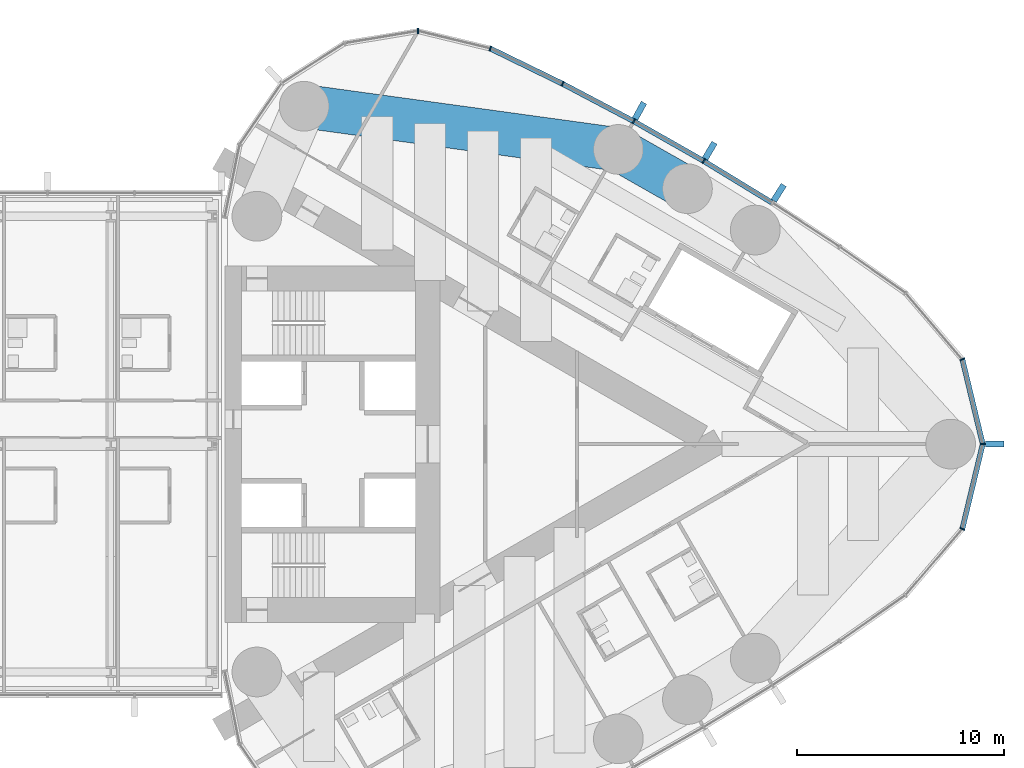
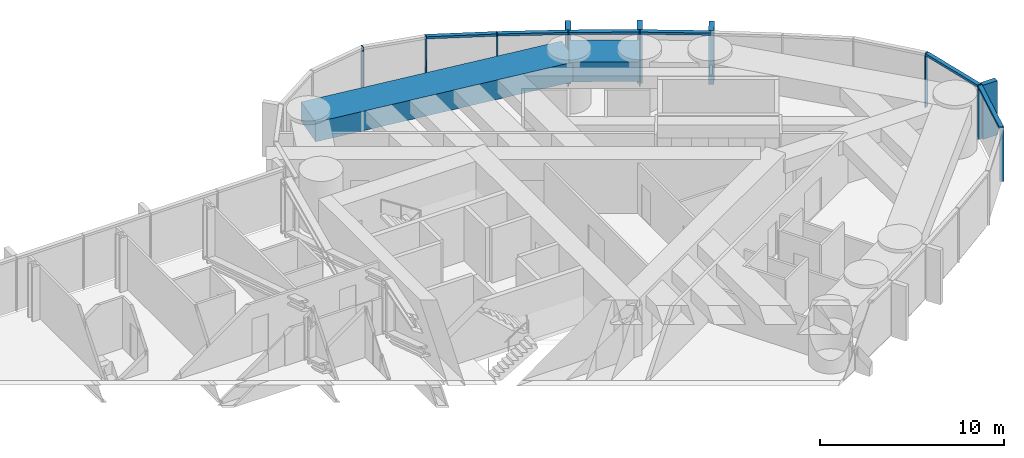
# One storey, part 12 of 24: 18 members, 2 beams, 1 element without a shape of its own.
"""IFC4 building model written with IfcOpenShell, lengths in metres."""

from ifc_helpers import new_model, si_unit, direction, frame, origin, origin_2d, place, context, subcontext, project, spatial, rectangle, extrude, material, material_profile, profile_set, type_object, element, aggregate, save


model = new_model("IFC4")

# Units and contexts
model_context = context("Model", 3, precision=1e-05, world=origin(), true_north=direction((0.0, 1.0)))
body_context = subcontext(model_context, "Body", "Model", "MODEL_VIEW")
ifc_project = project(units=[si_unit("LENGTHUNIT", "METRE"), si_unit("AREAUNIT", "SQUARE_METRE"), si_unit("VOLUMEUNIT", "CUBIC_METRE"), si_unit("PLANEANGLEUNIT", "RADIAN"), si_unit("MASSUNIT", "GRAM", prefix="KILO")], contexts=[model_context])

# Site, building, storey
site_placement = place(None, origin())
site = spatial("IfcSite", under=ifc_project, at=site_placement, CompositionType="ELEMENT")
building_placement = place(site_placement, origin())
building = spatial("IfcBuilding", under=site, at=building_placement, Name="Lancet Gate Hotel", CompositionType="ELEMENT")
storey_placement = place(building_placement, frame((0.0, 0.0, 244.10009765625)))
storey = spatial("IfcBuildingStorey", under=building, at=storey_placement, Name="L65", CompositionType="ELEMENT", Elevation=244.10009765625)

# Curtain wall, members
ifc_material_1 = material(Name="Aluminium curtain wall", Category="aluminium")
curtain_wall_type = type_object("IfcCurtainWallType", Name="Tower unitised curtain wall", PredefinedType="USERDEFINED", material=ifc_material_1)
curtain_wall_placement = place(storey_placement, origin())
curtain_wall = element("IfcCurtainWall", 1, at=curtain_wall_placement, inside=storey, type_object=curtain_wall_type, Name="T2 L65 curtain wall 1", ObjectType="UNITISED CURTAIN WALL", PredefinedType="USERDEFINED")
ifc_material_2 = material(Name="Aluminium mullion", Category="aluminium")
ifc_material_profile_1 = material_profile(ifc_material_2, rectangle(XDim=0.06494140625, YDim=0.25, at=origin_2d()), Name="MULLION 65x250")
ifc_profile_set_1 = profile_set([ifc_material_profile_1], Name="Aluminium mullion")
member_type_1 = type_object("IfcMemberType", Name="Aluminium mullion 65x250", PredefinedType="MULLION", material=ifc_profile_set_1)
member_1_placement = place(storey_placement, frame((63.1064453125, -4.09375, 0.0), z_axis=(0.0, 0.0, 1.0), x_axis=(0.454852851296, 0.890566608215, 0.0)))
member_1 = element("IfcMember", 2, at=member_1_placement, type_object=member_type_1, Name="T2 L65 curtain wall 1 mullion 13", PredefinedType="MULLION", context=body_context, shape_type="SweptSolid", body=[
    extrude(rectangle(XDim=0.06494140625, YDim=0.25, at=origin_2d()), origin(), (0.0, 0.0, 1.0), 3.599853515625),
])
member_2_placement = place(storey_placement, frame((64.09130859375, 0.0, 0.0), z_axis=(0.0, 0.0, 1.0), x_axis=(0.0, 1.0, 0.0)))
member_2 = element("IfcMember", 3, at=member_2_placement, type_object=member_type_1, Name="T2 L65 curtain wall 1 mullion 14", PredefinedType="MULLION", context=body_context, shape_type="SweptSolid", body=[
    extrude(rectangle(XDim=0.06494140625, YDim=0.25, at=origin_2d()), origin(), (0.0, 0.0, 1.0), 3.599853515625),
])
member_3_placement = place(storey_placement, frame((63.1064453125, 4.09375, 0.0), z_axis=(0.0, 0.0, 1.0), x_axis=(-0.454852851296, 0.890566608215, 0.0)))
member_3 = element("IfcMember", 4, at=member_3_placement, type_object=member_type_1, Name="T2 L65 curtain wall 1 mullion 15", PredefinedType="MULLION", context=body_context, shape_type="SweptSolid", body=[
    extrude(rectangle(XDim=0.06494140625, YDim=0.25, at=origin_2d()), origin(), (0.0, 0.0, 1.0), 3.599853515625),
])
member_4_placement = place(storey_placement, frame((50.62060546875, 13.667236328125, 0.0), z_axis=(0.0, 0.0, 1.0), x_axis=(-0.861691755738, 0.507432082247, 0.0)))
member_4 = element("IfcMember", 5, at=member_4_placement, type_object=member_type_1, Name="T2 L65 curtain wall 1 mullion 19", PredefinedType="MULLION", context=body_context, shape_type="SweptSolid", body=[
    extrude(rectangle(XDim=0.06494140625, YDim=0.25, at=origin_2d()), origin(), (0.0, 0.0, 1.0), 3.599853515625),
])
member_5_placement = place(storey_placement, frame((47.24365234375, 15.585205078125, 0.0), z_axis=(0.0, 0.0, 1.0), x_axis=(-0.877194589488, 0.480135035352, 0.0)))
member_5 = element("IfcMember", 6, at=member_5_placement, type_object=member_type_1, Name="T2 L65 curtain wall 1 mullion 20", PredefinedType="MULLION", context=body_context, shape_type="SweptSolid", body=[
    extrude(rectangle(XDim=0.06494140625, YDim=0.25, at=origin_2d()), origin(), (0.0, 0.0, 1.0), 3.599853515625),
])
member_6_placement = place(storey_placement, frame((43.80810546875, 17.396240234375, 0.0), z_axis=(0.0, 0.0, 1.0), x_axis=(-0.891832977257, 0.452364831389, 0.0)))
member_6 = element("IfcMember", 7, at=member_6_placement, type_object=member_type_1, Name="T2 L65 curtain wall 1 mullion 21", PredefinedType="MULLION", context=body_context, shape_type="SweptSolid", body=[
    extrude(rectangle(XDim=0.06494140625, YDim=0.25, at=origin_2d()), origin(), (0.0, 0.0, 1.0), 3.599853515625),
])
member_7_placement = place(storey_placement, frame((40.3173828125, 19.098388671875, 0.0), z_axis=(0.0, 0.0, 1.0), x_axis=(-0.939483740419, 0.342593493061, 0.0)))
member_7 = element("IfcMember", 8, at=member_7_placement, type_object=member_type_1, Name="T2 L65 curtain wall 1 mullion 22", PredefinedType="MULLION", context=body_context, shape_type="SweptSolid", body=[
    extrude(rectangle(XDim=0.06494140625, YDim=0.25, at=origin_2d()), origin(), (0.0, 0.0, 1.0), 3.599853515625),
])
member_8_placement = place(storey_placement, frame((36.826171875, 19.942138671875, 0.0), z_axis=(0.0, 0.0, 1.0), x_axis=(-0.999342744911, 0.03625021647, 0.0)))
member_8 = element("IfcMember", 9, at=member_8_placement, type_object=member_type_1, Name="T2 L65 curtain wall 1 mullion 23", PredefinedType="MULLION", context=body_context, shape_type="SweptSolid", body=[
    extrude(rectangle(XDim=0.06494140625, YDim=0.25, at=origin_2d()), origin(), (0.0, 0.0, 1.0), 3.599853515625),
])
ifc_material_3 = material(Name="Aluminium transom", Category="aluminium")
ifc_material_profile_2 = material_profile(ifc_material_3, rectangle(XDim=0.25, YDim=0.14990234375, at=origin_2d()), Name="TRANSOM 250x150")
ifc_profile_set_2 = profile_set([ifc_material_profile_2], Name="Aluminium transom")
member_type_2 = type_object("IfcMemberType", Name="Aluminium transom 250x150", PredefinedType="USERDEFINED", material=ifc_profile_set_2)
member_9_placement = place(storey_placement, frame((63.114013671875, -4.06201171875, 3.52490234375), z_axis=(0.233920855872, 0.972255641891, 0.0), x_axis=(-0.972255641891, 0.233920855872, 0.0)))
member_9 = element("IfcMember", 10, at=member_9_placement, type_object=member_type_2, Name="T2 L65 curtain wall 1 transom 13", ObjectType="TRANSOM", PredefinedType="USERDEFINED", context=body_context, shape_type="SweptSolid", body=[
    extrude(rectangle(XDim=0.25, YDim=0.14990234375, at=origin_2d()), origin(), (0.0, 0.0, 1.0), 4.1455078125),
])
member_10_placement = place(storey_placement, frame((64.083740234375, 0.031494140625, 3.52490234375), z_axis=(-0.233920855872, 0.972255641891, 0.0), x_axis=(-0.972255641891, -0.233920855872, 0.0)))
member_10 = element("IfcMember", 11, at=member_10_placement, type_object=member_type_2, Name="T2 L65 curtain wall 1 transom 14", ObjectType="TRANSOM", PredefinedType="USERDEFINED", context=body_context, shape_type="SweptSolid", body=[
    extrude(rectangle(XDim=0.25, YDim=0.14990234375, at=origin_2d()), origin(), (0.0, 0.0, 1.0), 4.1455078125),
])
member_11_placement = place(storey_placement, frame((53.907958984375, 11.661376953125, 3.52490234375), z_axis=(-0.853638798527, 0.520865435261, 0.0), x_axis=(-0.520865435261, -0.853638798527, 0.0)))
member_11 = element("IfcMember", 12, at=member_11_placement, type_object=member_type_2, Name="T2 L65 curtain wall 1 transom 18", ObjectType="TRANSOM", PredefinedType="USERDEFINED", context=body_context, shape_type="SweptSolid", body=[
    extrude(rectangle(XDim=0.25, YDim=0.14990234375, at=origin_2d()), origin(), (0.0, 0.0, 1.0), 3.818603515625),
])
member_12_placement = place(storey_placement, frame((50.59228515625, 13.683349609375, 3.52490234375), z_axis=(-0.869562011924, 0.493823761496, 0.0), x_axis=(-0.493823761496, -0.869562011924, 0.0)))
member_12 = element("IfcMember", 13, at=member_12_placement, type_object=member_type_2, Name="T2 L65 curtain wall 1 transom 19", ObjectType="TRANSOM", PredefinedType="USERDEFINED", context=body_context, shape_type="SweptSolid", body=[
    extrude(rectangle(XDim=0.25, YDim=0.14990234375, at=origin_2d()), origin(), (0.0, 0.0, 1.0), 3.818603515625),
])
member_13_placement = place(storey_placement, frame((47.21484375, 15.600341796875, 3.52490234375), z_axis=(-0.884618491031, 0.466315478325, 0.0), x_axis=(-0.466315478325, -0.884618491031, 0.0)))
member_13 = element("IfcMember", 14, at=member_13_placement, type_object=member_type_2, Name="T2 L65 curtain wall 1 transom 20", ObjectType="TRANSOM", PredefinedType="USERDEFINED", context=body_context, shape_type="SweptSolid", body=[
    extrude(rectangle(XDim=0.25, YDim=0.14990234375, at=origin_2d()), origin(), (0.0, 0.0, 1.0), 3.81884765625),
])
member_14_placement = place(storey_placement, frame((43.77880859375, 17.410400390625, 3.52490234375), z_axis=(-0.898820051991, 0.438317823206, 0.0), x_axis=(-0.438317823206, -0.898820051991, 0.0)))
member_14 = element("IfcMember", 15, at=member_14_placement, type_object=member_type_2, Name="T2 L65 curtain wall 1 transom 21", ObjectType="TRANSOM", PredefinedType="USERDEFINED", context=body_context, shape_type="SweptSolid", body=[
    extrude(rectangle(XDim=0.25, YDim=0.14990234375, at=origin_2d()), origin(), (0.0, 0.0, 1.0), 3.81884765625),
])

# Beams
ifc_material_4 = material(Name="Concrete C50/60", Category="concrete")
ifc_material_profile_3 = material_profile(ifc_material_4, rectangle(XDim=2.10009765625, YDim=1.300048828125, at=origin_2d()), Name="RC 2100x1300")
ifc_profile_set_3 = profile_set([ifc_material_profile_3], Name="Concrete C50/60")
beam_type = type_object("IfcBeamType", Name="Edge beam RC 2100x1300", PredefinedType="SPANDREL", material=ifc_profile_set_3)
beam_1_placement = place(storey_placement, frame((49.833984375, 12.331787109375, 2.699951171875), z_axis=(-0.869560321562, 0.493826738001, 0.0), x_axis=(-0.493826738001, -0.869560321562, 0.0)))
element("IfcBeam", 16, at=beam_1_placement, inside=storey, type_object=beam_type, Name="T2 edge beam EB1 L65", PredefinedType="SPANDREL", context=body_context, shape_type="SweptSolid", body=[
    extrude(rectangle(XDim=2.10009765625, YDim=1.300048828125, at=origin_2d()), origin(), (0.0, 0.0, 1.0), 3.8349609375),
])
beam_2_placement = place(storey_placement, frame((46.499267578125, 14.2255859375, 2.699951171875), z_axis=(-0.990685830783, 0.13616748762, 0.0), x_axis=(-0.13616748762, -0.990685830783, 0.0)))
element("IfcBeam", 17, at=beam_2_placement, inside=storey, type_object=beam_type, Name="T2 edge beam EB1 L65", PredefinedType="SPANDREL", context=body_context, shape_type="SweptSolid", body=[
    extrude(rectangle(XDim=2.10009765625, YDim=1.300048828125, at=origin_2d()), origin(), (0.0, 0.0, 1.0), 15.3134765625),
])

# Member
ifc_material_5 = material(Name="Precast concrete C50/60", Category="concrete")
ifc_material_profile_4 = material_profile(ifc_material_5, rectangle(XDim=0.300048828125, YDim=0.89990234375, at=origin_2d()), Name="FIN 300x900")
ifc_profile_set_4 = profile_set([ifc_material_profile_4], Name="Precast concrete C50/60")
member_type_3 = type_object("IfcMemberType", Name="Exposed concrete fin 300x900", PredefinedType="USERDEFINED", material=ifc_profile_set_4)
member_15_placement = place(storey_placement, frame((64.66650390625, 0.0, 0.0), z_axis=(0.0, 0.0, 1.0), x_axis=(0.0, 1.0, 0.0)))
member_15 = element("IfcMember", 18, at=member_15_placement, type_object=member_type_3, Name="T2 L65 curtain wall 1 fin 14", ObjectType="FIN", PredefinedType="USERDEFINED", context=body_context, shape_type="SweptSolid", body=[
    extrude(rectangle(XDim=0.300048828125, YDim=0.89990234375, at=origin_2d()), origin(), (0.0, 0.0, 1.0), 3.599853515625),
])

member_16_placement = place(storey_placement, frame((54.242919921875, 12.13037109375, 0.0), z_axis=(0.0, 0.0, 1.0), x_axis=(-0.845339753513, 0.534229071777, 0.0)))
member_16 = element("IfcMember", 19, at=member_16_placement, type_object=member_type_3, Name="T2 L65 curtain wall 1 fin 18", ObjectType="FIN", PredefinedType="USERDEFINED", context=body_context, shape_type="SweptSolid", body=[
    extrude(rectangle(XDim=0.300048828125, YDim=0.89990234375, at=origin_2d()), origin(), (0.0, 0.0, 1.0), 3.599853515625),
])

member_17_placement = place(storey_placement, frame((50.912353515625, 14.162841796875, 0.0), z_axis=(0.0, 0.0, 1.0), x_axis=(-0.861691755738, 0.507432082247, 0.0)))
member_17 = element("IfcMember", 20, at=member_17_placement, type_object=member_type_3, Name="T2 L65 curtain wall 1 fin 19", ObjectType="FIN", PredefinedType="USERDEFINED", context=body_context, shape_type="SweptSolid", body=[
    extrude(rectangle(XDim=0.300048828125, YDim=0.89990234375, at=origin_2d()), origin(), (0.0, 0.0, 1.0), 3.599853515625),
])

member_18_placement = place(storey_placement, frame((47.51953125, 16.089599609375, 0.0), z_axis=(0.0, 0.0, 1.0), x_axis=(-0.877194589488, 0.480135035352, 0.0)))
member_18 = element("IfcMember", 21, at=member_18_placement, type_object=member_type_3, Name="T2 L65 curtain wall 1 fin 20", ObjectType="FIN", PredefinedType="USERDEFINED", context=body_context, shape_type="SweptSolid", body=[
    extrude(rectangle(XDim=0.300048828125, YDim=0.89990234375, at=origin_2d()), origin(), (0.0, 0.0, 1.0), 3.599853515625),
])

aggregate(curtain_wall, [member_1, member_2, member_15, member_3, member_16, member_4, member_17, member_5, member_18, member_6, member_7, member_8, member_9, member_10, member_11, member_12, member_13, member_14])

save(model, "model.ifc")
